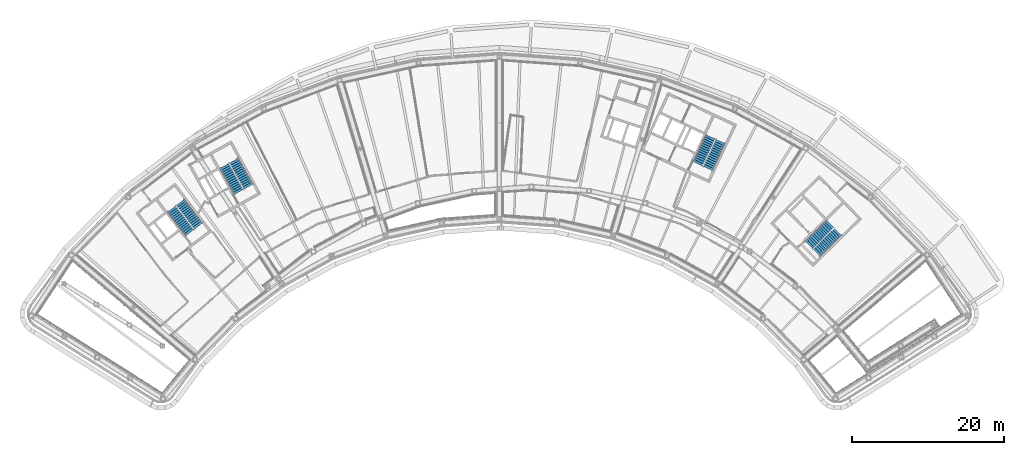
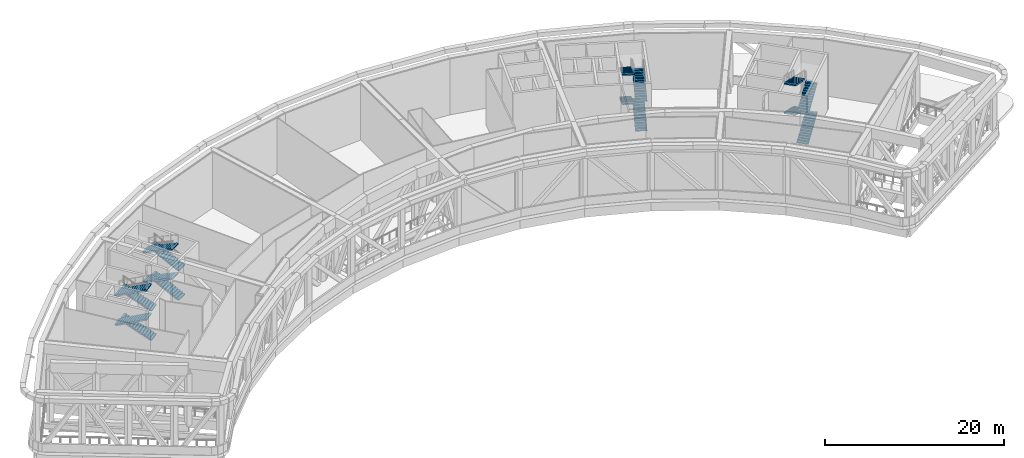
# One storey, part 12 of 24: 16 stair flights, 4 elements without a shape of their own.
"""IFC4 building model written with IfcOpenShell, lengths in metres."""

import ifcopenshell
import ifcopenshell.guid

model = None  # the IFC model being written
_history = None  # IfcOwnerHistory: only IFC2X3 demands one
_inside = {}  # id of a spatial element -> (the spatial element, [elements in it])
_under = {}  # id of a project, library or spatial element -> (it, [spatial elements below it])
_declared = {}  # id of a project -> (the project, [libraries it declares])
_typed = {}  # id of a type object -> (the type object, [elements of that type])
_made_of = {}  # id of a material, layer set ... -> (it, [elements and type objects made of it])


def new_model(schema):
    """Start an empty IFC model of exactly this schema.

    Asked for "IFC4X3", IfcOpenShell would pick the latest addendum, in which some entities
    have other attributes; the version numbers below select the first issue.
    IFC2X3 requires an IfcOwnerHistory on every rooted entity: one is made here for all.
    """
    global model, _history
    if schema == "IFC4X3":
        model = ifcopenshell.file(schema_version=(4, 3, 0, 0))
    else:
        model = ifcopenshell.file(schema=schema)
    _inside.clear()
    _under.clear()
    _declared.clear()
    _typed.clear()
    _made_of.clear()
    _history = None
    if model.schema == "IFC2X3":
        org = make("IfcOrganization", Name="unknown")
        user = make(
            "IfcPersonAndOrganization",
            ThePerson=make("IfcPerson", FamilyName="unknown"),
            TheOrganization=org,
        )
        app = make(
            "IfcApplication",
            ApplicationDeveloper=org,
            Version="unknown",
            ApplicationFullName="unknown",
            ApplicationIdentifier="unknown",
        )
        _history = make(
            "IfcOwnerHistory",
            OwningUser=user,
            OwningApplication=app,
            ChangeAction="ADDED",
            CreationDate=0,
        )
    return model


def make(cls, **values):
    """One entity of the class cls with the attributes given. An attribute that is None is left unset."""
    return model.create_entity(
        cls, **{name: value for name, value in values.items() if value is not None}
    )


def rooted(cls, **values):
    """An entity with a GlobalId (a new one), such as an element, a storey or a relation."""
    return make(cls, GlobalId=ifcopenshell.guid.new(), OwnerHistory=_history, **values)


def si_unit(unit_type, name, prefix=None):
    """IfcSIUnit, for example si_unit("LENGTHUNIT", "METRE", prefix="MILLI")."""
    return make("IfcSIUnit", UnitType=unit_type, Prefix=prefix, Name=name)


def assignment(units):
    """IfcUnitAssignment: the units of a project."""
    return None if units is None else make("IfcUnitAssignment", Units=units)


def point(xyz):
    """IfcCartesianPoint."""
    return None if xyz is None else make("IfcCartesianPoint", Coordinates=xyz)


def direction(xyz):
    """IfcDirection."""
    return None if xyz is None else make("IfcDirection", DirectionRatios=xyz)


def frame(location, z_axis=None, x_axis=None):
    """IfcAxis2Placement3D, a coordinate frame: its origin and axes. An axis left out is left unset."""
    return make(
        "IfcAxis2Placement3D",
        Location=point(location),
        Axis=direction(z_axis),
        RefDirection=direction(x_axis),
    )


def origin():
    """The frame at (0, 0, 0) with its axes left unset."""
    return frame((0.0, 0.0, 0.0))


def place(relative_to, where):
    """IfcLocalPlacement: puts the frame where relative to a parent placement (None: the world)."""
    return make(
        "IfcLocalPlacement", PlacementRelTo=relative_to, RelativePlacement=where
    )


def context(
    kind, dimensions, precision=None, world=None, true_north=None, identifier=None
):
    """IfcGeometricRepresentationContext, for example the 3D "Model" context."""
    return make(
        "IfcGeometricRepresentationContext",
        ContextIdentifier=identifier,
        ContextType=kind,
        CoordinateSpaceDimension=dimensions,
        Precision=precision,
        WorldCoordinateSystem=world,
        TrueNorth=true_north,
    )


def subcontext(parent, identifier, kind, view, scale=None):
    """IfcGeometricRepresentationSubContext, for example "Body" below "Model"."""
    return make(
        "IfcGeometricRepresentationSubContext",
        ContextIdentifier=identifier,
        ContextType=kind,
        ParentContext=parent,
        TargetScale=scale,
        TargetView=view,
    )


def project(units=None, contexts=None):
    """IfcProject with its units and contexts."""
    return rooted(
        "IfcProject",
        Name="project",
        RepresentationContexts=contexts,
        UnitsInContext=assignment(units),
    )


def spatial(cls, under=None, at=None, **own):
    """A site, building, storey or space (cls), placed at a placement, below another one or the project."""
    s = rooted(cls, ObjectPlacement=at, **own)
    if under is not None:
        _under.setdefault(under.id(), (under, []))[1].append(s)
    return s


def polyline(points):
    """IfcPolyline through the points."""
    return make("IfcPolyline", Points=[point(p) for p in points])


def outline(outer, holes=None, kind="AREA"):
    """IfcArbitraryClosedProfileDef: a profile drawn as a closed curve; with holes, ...WithVoids."""
    if holes is None:
        return make("IfcArbitraryClosedProfileDef", ProfileType=kind, OuterCurve=outer)
    return make(
        "IfcArbitraryProfileDefWithVoids",
        ProfileType=kind,
        OuterCurve=outer,
        InnerCurves=holes,
    )


def extrude(swept, where, along, depth):
    """IfcExtrudedAreaSolid: the profile swept, set in the frame where, extruded along a direction by depth."""
    return make(
        "IfcExtrudedAreaSolid",
        SweptArea=swept,
        Position=where,
        ExtrudedDirection=direction(along),
        Depth=depth,
    )


def shape(context_of_items, identifier, shape_type, items):
    """IfcShapeRepresentation: the items that make up one representation, for example the "Body"."""
    return make(
        "IfcShapeRepresentation",
        ContextOfItems=context_of_items,
        RepresentationIdentifier=identifier,
        RepresentationType=shape_type,
        Items=items,
    )


def material(Name=None, Category=None):
    """IfcMaterial."""
    return make("IfcMaterial", Name=Name, Category=Category)


def made_of(thing, what):
    """Note that an element or type object is made of a material, layer set ...; save() writes the relation."""
    if what is not None:
        _made_of.setdefault(what.id(), (what, []))[1].append(thing)
    return thing


def type_object(cls, material=None, **own):
    """A type object (cls), such as IfcWallType, which elements share."""
    return made_of(rooted(cls, **own), material)


def element(
    cls,
    number,
    at=None,
    inside=None,
    cuts=None,
    type_object=None,
    material=None,
    context=None,
    identifier="Body",
    shape_type=None,
    held_by="IfcProductDefinitionShape",
    body=None,
    shapes=None,
    **own,
):
    """One element of the class cls, such as IfcWall. Its Tag is "e" and its number.

    at: its placement. inside: the storey or other place that contains it. cuts: it is an
    opening in that element (IfcRelVoidsElement). A single representation is given by context,
    identifier, shape_type and body (its items); several are given by shapes. held_by: the class
    of the entity that holds the representations. save() writes the other relations.
    """
    e = rooted(cls, Tag="e%d" % number, ObjectPlacement=at, **own)
    if body is not None:
        shapes = [shape(context, identifier, shape_type, body)]
    if shapes is not None:
        e.Representation = make(held_by, Representations=shapes)
    if inside is not None:
        _inside.setdefault(inside.id(), (inside, []))[1].append(e)
    if cuts is not None:
        rooted(
            "IfcRelVoidsElement", RelatingBuildingElement=cuts, RelatedOpeningElement=e
        )
    if type_object is not None:
        _typed.setdefault(type_object.id(), (type_object, []))[1].append(e)
    return made_of(e, material)


def aggregate(whole, parts):
    """IfcRelAggregates: a whole, such as a stair, and the parts it consists of."""
    return rooted("IfcRelAggregates", RelatingObject=whole, RelatedObjects=parts)


def save(model, path):
    """Write the relations noted so far, then the file.

    IfcRelAggregates (storeys below a building ...), IfcRelContainedInSpatialStructure (elements
    in a storey), IfcRelDefinesByType, IfcRelAssociatesMaterial and IfcRelDeclares: one each for
    every whole, place, type object, material and project.
    """
    for whole, parts in _under.values():
        aggregate(whole, parts)
    for where, things in _inside.values():
        rooted(
            "IfcRelContainedInSpatialStructure",
            RelatedElements=things,
            RelatingStructure=where,
        )
    for kind, things in _typed.values():
        rooted("IfcRelDefinesByType", RelatedObjects=things, RelatingType=kind)
    for what, things in _made_of.values():
        rooted("IfcRelAssociatesMaterial", RelatedObjects=things, RelatingMaterial=what)
    for by, libraries in _declared.values():
        rooted("IfcRelDeclares", RelatingContext=by, RelatedDefinitions=libraries)
    model.write(path)


model = new_model("IFC4")

# Units and contexts
model_context = context("Model", 3, precision=1e-05, world=origin(), true_north=direction((0.0, 1.0)))
body_context = subcontext(model_context, "Body", "Model", "MODEL_VIEW")
ifc_project = project(units=[si_unit("LENGTHUNIT", "METRE"), si_unit("AREAUNIT", "SQUARE_METRE"), si_unit("VOLUMEUNIT", "CUBIC_METRE"), si_unit("PLANEANGLEUNIT", "RADIAN"), si_unit("MASSUNIT", "GRAM", prefix="KILO")], contexts=[model_context])

# Site, building, storey
site_placement = place(None, origin())
site = spatial("IfcSite", under=ifc_project, at=site_placement, CompositionType="ELEMENT")
building_placement = place(site_placement, origin())
building = spatial("IfcBuilding", under=site, at=building_placement, Name="Tuul Gate Civic Tower", CompositionType="ELEMENT")
storey_placement = place(building_placement, frame((0.0, 0.0, 277.800048828125)))
storey = spatial("IfcBuildingStorey", under=building, at=storey_placement, Name="Wind floor 2", CompositionType="ELEMENT", Elevation=277.800048828125)

# Stair, stair flights
ifc_material_1 = material(Name="Concrete C40/50", Category="concrete")
stair_type = type_object("IfcStairType", Name="Exit stair", PredefinedType="HALF_TURN_STAIR", material=ifc_material_1)
stair_1_placement = place(storey_placement, origin())
stair_1 = element("IfcStair", 1, at=stair_1_placement, inside=storey, type_object=stair_type, Name="Wind floor 2 ST-1", PredefinedType="HALF_TURN_STAIR")
ifc_material_2 = material(Name="Concrete C40/50", Category="concrete")
stair_flight_type = type_object("IfcStairFlightType", Name="Exit stair flight", PredefinedType="STRAIGHT", material=ifc_material_2)
stair_flight_1_placement = place(storey_placement, frame((-32.875244140625, -13.066650390625, 0.0), z_axis=(0.0, 0.0, 1.0), x_axis=(-0.605764474941, 0.795644016442, 0.0)))
stair_flight_1 = element("IfcStairFlight", 2, at=stair_flight_1_placement, type_object=stair_flight_type, Name="ST-1 flight 1", NumberOfRisers=14, NumberOfTreads=13, PredefinedType="STRAIGHT", RiserHeight=0.142857143, TreadLength=0.3, context=body_context, shape_type="SweptSolid", body=[
    extrude(outline(polyline([(0.0, 0.0), (0.0, 0.142822265625), (0.300048828125, 0.142822265625), (0.300048828125, 0.28564453125), (0.60009765625, 0.28564453125), (0.60009765625, 0.428466796875), (0.89990234375, 0.428466796875), (0.89990234375, 0.571533203125), (1.199951171875, 0.571533203125), (1.199951171875, 0.71435546875), (1.5, 0.71435546875), (1.5, 0.857177734375), (1.800048828125, 0.857177734375), (1.800048828125, 1.0), (2.10009765625, 1.0), (2.10009765625, 1.142822265625), (2.39990234375, 1.142822265625), (2.39990234375, 1.28564453125), (2.699951171875, 1.28564453125), (2.699951171875, 1.428466796875), (3.0, 1.428466796875), (3.0, 1.571533203125), (3.300048828125, 1.571533203125), (3.300048828125, 1.71435546875), (3.60009765625, 1.71435546875), (3.60009765625, 1.857177734375), (3.89990234375, 1.857177734375), (3.89990234375, 2.0), (3.89990234375, 1.691162109375), (0.3486328125, 0.0), (0.0, 0.0)])), frame((0.0, 0.675048828125, 0.0), z_axis=(0.0, -1.0, 0.0), x_axis=(1.0, 0.0, 0.0)), (0.0, 0.0, 1.0), 1.35009765625),
])
stair_flight_2_placement = place(storey_placement, frame((-36.391357421875, -10.842041015625, 2.0), z_axis=(0.0, 0.0, 1.0), x_axis=(0.605764474941, -0.795644016442, 0.0)))
stair_flight_2 = element("IfcStairFlight", 3, at=stair_flight_2_placement, type_object=stair_flight_type, Name="ST-1 flight 2", NumberOfRisers=14, NumberOfTreads=13, PredefinedType="STRAIGHT", RiserHeight=0.142857143, TreadLength=0.3, context=body_context, shape_type="SweptSolid", body=[
    extrude(outline(polyline([(0.0, 0.0), (0.0, 0.142822265625), (0.300048828125, 0.142822265625), (0.300048828125, 0.28564453125), (0.60009765625, 0.28564453125), (0.60009765625, 0.428466796875), (0.89990234375, 0.428466796875), (0.89990234375, 0.571533203125), (1.199951171875, 0.571533203125), (1.199951171875, 0.71435546875), (1.5, 0.71435546875), (1.5, 0.857177734375), (1.800048828125, 0.857177734375), (1.800048828125, 1.0), (2.10009765625, 1.0), (2.10009765625, 1.142822265625), (2.39990234375, 1.142822265625), (2.39990234375, 1.28564453125), (2.699951171875, 1.28564453125), (2.699951171875, 1.428466796875), (3.0, 1.428466796875), (3.0, 1.571533203125), (3.300048828125, 1.571533203125), (3.300048828125, 1.71435546875), (3.60009765625, 1.71435546875), (3.60009765625, 1.857177734375), (3.89990234375, 1.857177734375), (3.89990234375, 2.0), (3.89990234375, 1.691162109375), (0.3486328125, 0.0), (0.0, 0.0)])), frame((0.0, 0.675048828125, 0.0), z_axis=(0.0, -1.0, 0.0), x_axis=(1.0, 0.0, 0.0)), (0.0, 0.0, 1.0), 1.35009765625),
])
stair_flight_3_placement = place(storey_placement, frame((-32.875244140625, -13.066650390625, 4.0), z_axis=(0.0, 0.0, 1.0), x_axis=(-0.605764474941, 0.795644016442, 0.0)))
stair_flight_3 = element("IfcStairFlight", 4, at=stair_flight_3_placement, type_object=stair_flight_type, Name="ST-1 flight 3", NumberOfRisers=14, NumberOfTreads=13, PredefinedType="STRAIGHT", RiserHeight=0.142857143, TreadLength=0.3, context=body_context, shape_type="SweptSolid", body=[
    extrude(outline(polyline([(0.0, 0.0), (0.0, 0.142822265625), (0.300048828125, 0.142822265625), (0.300048828125, 0.28564453125), (0.60009765625, 0.28564453125), (0.60009765625, 0.428466796875), (0.89990234375, 0.428466796875), (0.89990234375, 0.571533203125), (1.199951171875, 0.571533203125), (1.199951171875, 0.71435546875), (1.5, 0.71435546875), (1.5, 0.857177734375), (1.800048828125, 0.857177734375), (1.800048828125, 1.0), (2.10009765625, 1.0), (2.10009765625, 1.142822265625), (2.39990234375, 1.142822265625), (2.39990234375, 1.28564453125), (2.699951171875, 1.28564453125), (2.699951171875, 1.428466796875), (3.0, 1.428466796875), (3.0, 1.571533203125), (3.300048828125, 1.571533203125), (3.300048828125, 1.71435546875), (3.60009765625, 1.71435546875), (3.60009765625, 1.857177734375), (3.89990234375, 1.857177734375), (3.89990234375, 2.0), (3.89990234375, 1.691162109375), (0.3486328125, 0.0), (0.0, 0.0)])), frame((0.0, 0.675048828125, 0.0), z_axis=(0.0, -1.0, 0.0), x_axis=(1.0, 0.0, 0.0)), (0.0, 0.0, 1.0), 1.35009765625),
])
stair_flight_4_placement = place(storey_placement, frame((-36.391357421875, -10.842041015625, 6.0), z_axis=(0.0, 0.0, 1.0), x_axis=(0.605764474941, -0.795644016442, 0.0)))
stair_flight_4 = element("IfcStairFlight", 5, at=stair_flight_4_placement, type_object=stair_flight_type, Name="ST-1 flight 4", NumberOfRisers=14, NumberOfTreads=13, PredefinedType="STRAIGHT", RiserHeight=0.142857143, TreadLength=0.3, context=body_context, shape_type="SweptSolid", body=[
    extrude(outline(polyline([(0.0, 0.0), (0.0, 0.142822265625), (0.300048828125, 0.142822265625), (0.300048828125, 0.28564453125), (0.60009765625, 0.28564453125), (0.60009765625, 0.428466796875), (0.89990234375, 0.428466796875), (0.89990234375, 0.571533203125), (1.199951171875, 0.571533203125), (1.199951171875, 0.71435546875), (1.5, 0.71435546875), (1.5, 0.857177734375), (1.800048828125, 0.857177734375), (1.800048828125, 1.0), (2.10009765625, 1.0), (2.10009765625, 1.142822265625), (2.39990234375, 1.142822265625), (2.39990234375, 1.28564453125), (2.699951171875, 1.28564453125), (2.699951171875, 1.428466796875), (3.0, 1.428466796875), (3.0, 1.571533203125), (3.300048828125, 1.571533203125), (3.300048828125, 1.71435546875), (3.60009765625, 1.71435546875), (3.60009765625, 1.857177734375), (3.89990234375, 1.857177734375), (3.89990234375, 2.0), (3.89990234375, 1.691162109375), (0.3486328125, 0.0), (0.0, 0.0)])), frame((0.0, 0.675048828125, 0.0), z_axis=(0.0, -1.0, 0.0), x_axis=(1.0, 0.0, 0.0)), (0.0, 0.0, 1.0), 1.35009765625),
])
aggregate(stair_1, [stair_flight_1, stair_flight_2, stair_flight_3, stair_flight_4])

stair_2_placement = place(storey_placement, origin())
stair_2 = element("IfcStair", 6, at=stair_2_placement, inside=storey, type_object=stair_type, Name="Wind floor 2 ST-2", PredefinedType="HALF_TURN_STAIR")
stair_flight_5_placement = place(storey_placement, frame((-26.29150390625, -7.87646484375, 0.0), z_axis=(0.0, 0.0, 1.0), x_axis=(-0.484761763766, 0.874646232708, 0.0)))
stair_flight_5 = element("IfcStairFlight", 7, at=stair_flight_5_placement, type_object=stair_flight_type, Name="ST-2 flight 1", NumberOfRisers=14, NumberOfTreads=13, PredefinedType="STRAIGHT", RiserHeight=0.142857143, TreadLength=0.3, context=body_context, shape_type="SweptSolid", body=[
    extrude(outline(polyline([(0.0, 0.0), (0.0, 0.142822265625), (0.300048828125, 0.142822265625), (0.300048828125, 0.28564453125), (0.60009765625, 0.28564453125), (0.60009765625, 0.428466796875), (0.89990234375, 0.428466796875), (0.89990234375, 0.571533203125), (1.199951171875, 0.571533203125), (1.199951171875, 0.71435546875), (1.5, 0.71435546875), (1.5, 0.857177734375), (1.800048828125, 0.857177734375), (1.800048828125, 1.0), (2.10009765625, 1.0), (2.10009765625, 1.142822265625), (2.39990234375, 1.142822265625), (2.39990234375, 1.28564453125), (2.699951171875, 1.28564453125), (2.699951171875, 1.428466796875), (3.0, 1.428466796875), (3.0, 1.571533203125), (3.300048828125, 1.571533203125), (3.300048828125, 1.71435546875), (3.60009765625, 1.71435546875), (3.60009765625, 1.857177734375), (3.89990234375, 1.857177734375), (3.89990234375, 2.0), (3.89990234375, 1.691162109375), (0.3486328125, 0.0), (0.0, 0.0)])), frame((0.0, 0.675048828125, 0.0), z_axis=(0.0, -1.0, 0.0), x_axis=(1.0, 0.0, 0.0)), (0.0, 0.0, 1.0), 1.35009765625),
])
stair_flight_6_placement = place(storey_placement, frame((-29.450439453125, -5.168212890625, 2.0), z_axis=(0.0, 0.0, 1.0), x_axis=(0.484761763766, -0.874646232708, 0.0)))
stair_flight_6 = element("IfcStairFlight", 8, at=stair_flight_6_placement, type_object=stair_flight_type, Name="ST-2 flight 2", NumberOfRisers=14, NumberOfTreads=13, PredefinedType="STRAIGHT", RiserHeight=0.142857143, TreadLength=0.3, context=body_context, shape_type="SweptSolid", body=[
    extrude(outline(polyline([(0.0, 0.0), (0.0, 0.142822265625), (0.300048828125, 0.142822265625), (0.300048828125, 0.28564453125), (0.60009765625, 0.28564453125), (0.60009765625, 0.428466796875), (0.89990234375, 0.428466796875), (0.89990234375, 0.571533203125), (1.199951171875, 0.571533203125), (1.199951171875, 0.71435546875), (1.5, 0.71435546875), (1.5, 0.857177734375), (1.800048828125, 0.857177734375), (1.800048828125, 1.0), (2.10009765625, 1.0), (2.10009765625, 1.142822265625), (2.39990234375, 1.142822265625), (2.39990234375, 1.28564453125), (2.699951171875, 1.28564453125), (2.699951171875, 1.428466796875), (3.0, 1.428466796875), (3.0, 1.571533203125), (3.300048828125, 1.571533203125), (3.300048828125, 1.71435546875), (3.60009765625, 1.71435546875), (3.60009765625, 1.857177734375), (3.89990234375, 1.857177734375), (3.89990234375, 2.0), (3.89990234375, 1.691162109375), (0.3486328125, 0.0), (0.0, 0.0)])), frame((0.0, 0.675048828125, 0.0), z_axis=(0.0, -1.0, 0.0), x_axis=(1.0, 0.0, 0.0)), (0.0, 0.0, 1.0), 1.35009765625),
])
stair_flight_7_placement = place(storey_placement, frame((-26.29150390625, -7.87646484375, 4.0), z_axis=(0.0, 0.0, 1.0), x_axis=(-0.484761763766, 0.874646232708, 0.0)))
stair_flight_7 = element("IfcStairFlight", 9, at=stair_flight_7_placement, type_object=stair_flight_type, Name="ST-2 flight 3", NumberOfRisers=14, NumberOfTreads=13, PredefinedType="STRAIGHT", RiserHeight=0.142857143, TreadLength=0.3, context=body_context, shape_type="SweptSolid", body=[
    extrude(outline(polyline([(0.0, 0.0), (0.0, 0.142822265625), (0.300048828125, 0.142822265625), (0.300048828125, 0.28564453125), (0.60009765625, 0.28564453125), (0.60009765625, 0.428466796875), (0.89990234375, 0.428466796875), (0.89990234375, 0.571533203125), (1.199951171875, 0.571533203125), (1.199951171875, 0.71435546875), (1.5, 0.71435546875), (1.5, 0.857177734375), (1.800048828125, 0.857177734375), (1.800048828125, 1.0), (2.10009765625, 1.0), (2.10009765625, 1.142822265625), (2.39990234375, 1.142822265625), (2.39990234375, 1.28564453125), (2.699951171875, 1.28564453125), (2.699951171875, 1.428466796875), (3.0, 1.428466796875), (3.0, 1.571533203125), (3.300048828125, 1.571533203125), (3.300048828125, 1.71435546875), (3.60009765625, 1.71435546875), (3.60009765625, 1.857177734375), (3.89990234375, 1.857177734375), (3.89990234375, 2.0), (3.89990234375, 1.691162109375), (0.3486328125, 0.0), (0.0, 0.0)])), frame((0.0, 0.675048828125, 0.0), z_axis=(0.0, -1.0, 0.0), x_axis=(1.0, 0.0, 0.0)), (0.0, 0.0, 1.0), 1.35009765625),
])
stair_flight_8_placement = place(storey_placement, frame((-29.450439453125, -5.168212890625, 6.0), z_axis=(0.0, 0.0, 1.0), x_axis=(0.484761763766, -0.874646232708, 0.0)))
stair_flight_8 = element("IfcStairFlight", 10, at=stair_flight_8_placement, type_object=stair_flight_type, Name="ST-2 flight 4", NumberOfRisers=14, NumberOfTreads=13, PredefinedType="STRAIGHT", RiserHeight=0.142857143, TreadLength=0.3, context=body_context, shape_type="SweptSolid", body=[
    extrude(outline(polyline([(0.0, 0.0), (0.0, 0.142822265625), (0.300048828125, 0.142822265625), (0.300048828125, 0.28564453125), (0.60009765625, 0.28564453125), (0.60009765625, 0.428466796875), (0.89990234375, 0.428466796875), (0.89990234375, 0.571533203125), (1.199951171875, 0.571533203125), (1.199951171875, 0.71435546875), (1.5, 0.71435546875), (1.5, 0.857177734375), (1.800048828125, 0.857177734375), (1.800048828125, 1.0), (2.10009765625, 1.0), (2.10009765625, 1.142822265625), (2.39990234375, 1.142822265625), (2.39990234375, 1.28564453125), (2.699951171875, 1.28564453125), (2.699951171875, 1.428466796875), (3.0, 1.428466796875), (3.0, 1.571533203125), (3.300048828125, 1.571533203125), (3.300048828125, 1.71435546875), (3.60009765625, 1.71435546875), (3.60009765625, 1.857177734375), (3.89990234375, 1.857177734375), (3.89990234375, 2.0), (3.89990234375, 1.691162109375), (0.3486328125, 0.0), (0.0, 0.0)])), frame((0.0, 0.675048828125, 0.0), z_axis=(0.0, -1.0, 0.0), x_axis=(1.0, 0.0, 0.0)), (0.0, 0.0, 1.0), 1.35009765625),
])
aggregate(stair_2, [stair_flight_5, stair_flight_6, stair_flight_7, stair_flight_8])

stair_3_placement = place(storey_placement, origin())
stair_3 = element("IfcStair", 11, at=stair_3_placement, inside=storey, type_object=stair_type, Name="Wind floor 2 ST-3", PredefinedType="HALF_TURN_STAIR")
stair_flight_9_placement = place(storey_placement, frame((48.61376953125, -16.581787109375, 0.0), z_axis=(0.0, 0.0, 1.0), x_axis=(0.714127290059, 0.700015866672, 0.0)))
stair_flight_9 = element("IfcStairFlight", 12, at=stair_flight_9_placement, type_object=stair_flight_type, Name="ST-3 flight 1", NumberOfRisers=14, NumberOfTreads=13, PredefinedType="STRAIGHT", RiserHeight=0.142857143, TreadLength=0.3, context=body_context, shape_type="SweptSolid", body=[
    extrude(outline(polyline([(0.0, 0.0), (0.0, 0.142822265625), (0.300048828125, 0.142822265625), (0.300048828125, 0.28564453125), (0.60009765625, 0.28564453125), (0.60009765625, 0.428466796875), (0.89990234375, 0.428466796875), (0.89990234375, 0.571533203125), (1.199951171875, 0.571533203125), (1.199951171875, 0.71435546875), (1.5, 0.71435546875), (1.5, 0.857177734375), (1.800048828125, 0.857177734375), (1.800048828125, 1.0), (2.10009765625, 1.0), (2.10009765625, 1.142822265625), (2.39990234375, 1.142822265625), (2.39990234375, 1.28564453125), (2.699951171875, 1.28564453125), (2.699951171875, 1.428466796875), (3.0, 1.428466796875), (3.0, 1.571533203125), (3.300048828125, 1.571533203125), (3.300048828125, 1.71435546875), (3.60009765625, 1.71435546875), (3.60009765625, 1.857177734375), (3.89990234375, 1.857177734375), (3.89990234375, 2.0), (3.89990234375, 1.691162109375), (0.3486328125, 0.0), (0.0, 0.0)])), frame((0.0, 0.675048828125, 0.0), z_axis=(0.0, -1.0, 0.0), x_axis=(1.0, 0.0, 0.0)), (0.0, 0.0, 1.0), 1.35009765625),
])
stair_flight_10_placement = place(storey_placement, frame((50.3837890625, -12.816162109375, 2.0), z_axis=(0.0, 0.0, 1.0), x_axis=(-0.714127290059, -0.700015866672, 0.0)))
stair_flight_10 = element("IfcStairFlight", 13, at=stair_flight_10_placement, type_object=stair_flight_type, Name="ST-3 flight 2", NumberOfRisers=14, NumberOfTreads=13, PredefinedType="STRAIGHT", RiserHeight=0.142857143, TreadLength=0.3, context=body_context, shape_type="SweptSolid", body=[
    extrude(outline(polyline([(0.0, 0.0), (0.0, 0.142822265625), (0.300048828125, 0.142822265625), (0.300048828125, 0.28564453125), (0.60009765625, 0.28564453125), (0.60009765625, 0.428466796875), (0.89990234375, 0.428466796875), (0.89990234375, 0.571533203125), (1.199951171875, 0.571533203125), (1.199951171875, 0.71435546875), (1.5, 0.71435546875), (1.5, 0.857177734375), (1.800048828125, 0.857177734375), (1.800048828125, 1.0), (2.10009765625, 1.0), (2.10009765625, 1.142822265625), (2.39990234375, 1.142822265625), (2.39990234375, 1.28564453125), (2.699951171875, 1.28564453125), (2.699951171875, 1.428466796875), (3.0, 1.428466796875), (3.0, 1.571533203125), (3.300048828125, 1.571533203125), (3.300048828125, 1.71435546875), (3.60009765625, 1.71435546875), (3.60009765625, 1.857177734375), (3.89990234375, 1.857177734375), (3.89990234375, 2.0), (3.89990234375, 1.691162109375), (0.3486328125, 0.0), (0.0, 0.0)])), frame((0.0, 0.675048828125, 0.0), z_axis=(0.0, -1.0, 0.0), x_axis=(1.0, 0.0, 0.0)), (0.0, 0.0, 1.0), 1.35009765625),
])
stair_flight_11_placement = place(storey_placement, frame((48.61376953125, -16.581787109375, 4.0), z_axis=(0.0, 0.0, 1.0), x_axis=(0.714127290059, 0.700015866672, 0.0)))
stair_flight_11 = element("IfcStairFlight", 14, at=stair_flight_11_placement, type_object=stair_flight_type, Name="ST-3 flight 3", NumberOfRisers=14, NumberOfTreads=13, PredefinedType="STRAIGHT", RiserHeight=0.142857143, TreadLength=0.3, context=body_context, shape_type="SweptSolid", body=[
    extrude(outline(polyline([(0.0, 0.0), (0.0, 0.142822265625), (0.300048828125, 0.142822265625), (0.300048828125, 0.28564453125), (0.60009765625, 0.28564453125), (0.60009765625, 0.428466796875), (0.89990234375, 0.428466796875), (0.89990234375, 0.571533203125), (1.199951171875, 0.571533203125), (1.199951171875, 0.71435546875), (1.5, 0.71435546875), (1.5, 0.857177734375), (1.800048828125, 0.857177734375), (1.800048828125, 1.0), (2.10009765625, 1.0), (2.10009765625, 1.142822265625), (2.39990234375, 1.142822265625), (2.39990234375, 1.28564453125), (2.699951171875, 1.28564453125), (2.699951171875, 1.428466796875), (3.0, 1.428466796875), (3.0, 1.571533203125), (3.300048828125, 1.571533203125), (3.300048828125, 1.71435546875), (3.60009765625, 1.71435546875), (3.60009765625, 1.857177734375), (3.89990234375, 1.857177734375), (3.89990234375, 2.0), (3.89990234375, 1.691162109375), (0.3486328125, 0.0), (0.0, 0.0)])), frame((0.0, 0.675048828125, 0.0), z_axis=(0.0, -1.0, 0.0), x_axis=(1.0, 0.0, 0.0)), (0.0, 0.0, 1.0), 1.35009765625),
])
stair_flight_12_placement = place(storey_placement, frame((50.3837890625, -12.816162109375, 6.0), z_axis=(0.0, 0.0, 1.0), x_axis=(-0.714127290059, -0.700015866672, 0.0)))
stair_flight_12 = element("IfcStairFlight", 15, at=stair_flight_12_placement, type_object=stair_flight_type, Name="ST-3 flight 4", NumberOfRisers=14, NumberOfTreads=13, PredefinedType="STRAIGHT", RiserHeight=0.142857143, TreadLength=0.3, context=body_context, shape_type="SweptSolid", body=[
    extrude(outline(polyline([(0.0, 0.0), (0.0, 0.142822265625), (0.300048828125, 0.142822265625), (0.300048828125, 0.28564453125), (0.60009765625, 0.28564453125), (0.60009765625, 0.428466796875), (0.89990234375, 0.428466796875), (0.89990234375, 0.571533203125), (1.199951171875, 0.571533203125), (1.199951171875, 0.71435546875), (1.5, 0.71435546875), (1.5, 0.857177734375), (1.800048828125, 0.857177734375), (1.800048828125, 1.0), (2.10009765625, 1.0), (2.10009765625, 1.142822265625), (2.39990234375, 1.142822265625), (2.39990234375, 1.28564453125), (2.699951171875, 1.28564453125), (2.699951171875, 1.428466796875), (3.0, 1.428466796875), (3.0, 1.571533203125), (3.300048828125, 1.571533203125), (3.300048828125, 1.71435546875), (3.60009765625, 1.71435546875), (3.60009765625, 1.857177734375), (3.89990234375, 1.857177734375), (3.89990234375, 2.0), (3.89990234375, 1.691162109375), (0.3486328125, 0.0), (0.0, 0.0)])), frame((0.0, 0.675048828125, 0.0), z_axis=(0.0, -1.0, 0.0), x_axis=(1.0, 0.0, 0.0)), (0.0, 0.0, 1.0), 1.35009765625),
])
aggregate(stair_3, [stair_flight_9, stair_flight_10, stair_flight_11, stair_flight_12])

stair_4_placement = place(storey_placement, origin())
stair_4 = element("IfcStair", 16, at=stair_4_placement, inside=storey, type_object=stair_type, Name="Wind floor 2 ST-4", PredefinedType="HALF_TURN_STAIR")
stair_flight_13_placement = place(storey_placement, frame((34.278564453125, -5.478515625, 0.0), z_axis=(0.0, 0.0, 1.0), x_axis=(0.422576295988, 0.906327354806, 0.0)))
stair_flight_13 = element("IfcStairFlight", 17, at=stair_flight_13_placement, type_object=stair_flight_type, Name="ST-4 flight 1", NumberOfRisers=14, NumberOfTreads=13, PredefinedType="STRAIGHT", RiserHeight=0.142857143, TreadLength=0.3, context=body_context, shape_type="SweptSolid", body=[
    extrude(outline(polyline([(0.0, 0.0), (0.0, 0.142822265625), (0.300048828125, 0.142822265625), (0.300048828125, 0.28564453125), (0.60009765625, 0.28564453125), (0.60009765625, 0.428466796875), (0.89990234375, 0.428466796875), (0.89990234375, 0.571533203125), (1.199951171875, 0.571533203125), (1.199951171875, 0.71435546875), (1.5, 0.71435546875), (1.5, 0.857177734375), (1.800048828125, 0.857177734375), (1.800048828125, 1.0), (2.10009765625, 1.0), (2.10009765625, 1.142822265625), (2.39990234375, 1.142822265625), (2.39990234375, 1.28564453125), (2.699951171875, 1.28564453125), (2.699951171875, 1.428466796875), (3.0, 1.428466796875), (3.0, 1.571533203125), (3.300048828125, 1.571533203125), (3.300048828125, 1.71435546875), (3.60009765625, 1.71435546875), (3.60009765625, 1.857177734375), (3.89990234375, 1.857177734375), (3.89990234375, 2.0), (3.89990234375, 1.691162109375), (0.3486328125, 0.0), (0.0, 0.0)])), frame((0.0, 0.675048828125, 0.0), z_axis=(0.0, -1.0, 0.0), x_axis=(1.0, 0.0, 0.0)), (0.0, 0.0, 1.0), 1.35009765625),
])
stair_flight_14_placement = place(storey_placement, frame((34.612548828125, -1.3310546875, 2.0), z_axis=(0.0, 0.0, 1.0), x_axis=(-0.422576295988, -0.906327354806, 0.0)))
stair_flight_14 = element("IfcStairFlight", 18, at=stair_flight_14_placement, type_object=stair_flight_type, Name="ST-4 flight 2", NumberOfRisers=14, NumberOfTreads=13, PredefinedType="STRAIGHT", RiserHeight=0.142857143, TreadLength=0.3, context=body_context, shape_type="SweptSolid", body=[
    extrude(outline(polyline([(0.0, 0.0), (0.0, 0.142822265625), (0.300048828125, 0.142822265625), (0.300048828125, 0.28564453125), (0.60009765625, 0.28564453125), (0.60009765625, 0.428466796875), (0.89990234375, 0.428466796875), (0.89990234375, 0.571533203125), (1.199951171875, 0.571533203125), (1.199951171875, 0.71435546875), (1.5, 0.71435546875), (1.5, 0.857177734375), (1.800048828125, 0.857177734375), (1.800048828125, 1.0), (2.10009765625, 1.0), (2.10009765625, 1.142822265625), (2.39990234375, 1.142822265625), (2.39990234375, 1.28564453125), (2.699951171875, 1.28564453125), (2.699951171875, 1.428466796875), (3.0, 1.428466796875), (3.0, 1.571533203125), (3.300048828125, 1.571533203125), (3.300048828125, 1.71435546875), (3.60009765625, 1.71435546875), (3.60009765625, 1.857177734375), (3.89990234375, 1.857177734375), (3.89990234375, 2.0), (3.89990234375, 1.691162109375), (0.3486328125, 0.0), (0.0, 0.0)])), frame((0.0, 0.675048828125, 0.0), z_axis=(0.0, -1.0, 0.0), x_axis=(1.0, 0.0, 0.0)), (0.0, 0.0, 1.0), 1.35009765625),
])
stair_flight_15_placement = place(storey_placement, frame((34.278564453125, -5.478515625, 4.0), z_axis=(0.0, 0.0, 1.0), x_axis=(0.422576295988, 0.906327354806, 0.0)))
stair_flight_15 = element("IfcStairFlight", 19, at=stair_flight_15_placement, type_object=stair_flight_type, Name="ST-4 flight 3", NumberOfRisers=14, NumberOfTreads=13, PredefinedType="STRAIGHT", RiserHeight=0.142857143, TreadLength=0.3, context=body_context, shape_type="SweptSolid", body=[
    extrude(outline(polyline([(0.0, 0.0), (0.0, 0.142822265625), (0.300048828125, 0.142822265625), (0.300048828125, 0.28564453125), (0.60009765625, 0.28564453125), (0.60009765625, 0.428466796875), (0.89990234375, 0.428466796875), (0.89990234375, 0.571533203125), (1.199951171875, 0.571533203125), (1.199951171875, 0.71435546875), (1.5, 0.71435546875), (1.5, 0.857177734375), (1.800048828125, 0.857177734375), (1.800048828125, 1.0), (2.10009765625, 1.0), (2.10009765625, 1.142822265625), (2.39990234375, 1.142822265625), (2.39990234375, 1.28564453125), (2.699951171875, 1.28564453125), (2.699951171875, 1.428466796875), (3.0, 1.428466796875), (3.0, 1.571533203125), (3.300048828125, 1.571533203125), (3.300048828125, 1.71435546875), (3.60009765625, 1.71435546875), (3.60009765625, 1.857177734375), (3.89990234375, 1.857177734375), (3.89990234375, 2.0), (3.89990234375, 1.691162109375), (0.3486328125, 0.0), (0.0, 0.0)])), frame((0.0, 0.675048828125, 0.0), z_axis=(0.0, -1.0, 0.0), x_axis=(1.0, 0.0, 0.0)), (0.0, 0.0, 1.0), 1.35009765625),
])
stair_flight_16_placement = place(storey_placement, frame((34.612548828125, -1.3310546875, 6.0), z_axis=(0.0, 0.0, 1.0), x_axis=(-0.422576295988, -0.906327354806, 0.0)))
stair_flight_16 = element("IfcStairFlight", 20, at=stair_flight_16_placement, type_object=stair_flight_type, Name="ST-4 flight 4", NumberOfRisers=14, NumberOfTreads=13, PredefinedType="STRAIGHT", RiserHeight=0.142857143, TreadLength=0.3, context=body_context, shape_type="SweptSolid", body=[
    extrude(outline(polyline([(0.0, 0.0), (0.0, 0.142822265625), (0.300048828125, 0.142822265625), (0.300048828125, 0.28564453125), (0.60009765625, 0.28564453125), (0.60009765625, 0.428466796875), (0.89990234375, 0.428466796875), (0.89990234375, 0.571533203125), (1.199951171875, 0.571533203125), (1.199951171875, 0.71435546875), (1.5, 0.71435546875), (1.5, 0.857177734375), (1.800048828125, 0.857177734375), (1.800048828125, 1.0), (2.10009765625, 1.0), (2.10009765625, 1.142822265625), (2.39990234375, 1.142822265625), (2.39990234375, 1.28564453125), (2.699951171875, 1.28564453125), (2.699951171875, 1.428466796875), (3.0, 1.428466796875), (3.0, 1.571533203125), (3.300048828125, 1.571533203125), (3.300048828125, 1.71435546875), (3.60009765625, 1.71435546875), (3.60009765625, 1.857177734375), (3.89990234375, 1.857177734375), (3.89990234375, 2.0), (3.89990234375, 1.691162109375), (0.3486328125, 0.0), (0.0, 0.0)])), frame((0.0, 0.675048828125, 0.0), z_axis=(0.0, -1.0, 0.0), x_axis=(1.0, 0.0, 0.0)), (0.0, 0.0, 1.0), 1.35009765625),
])
aggregate(stair_4, [stair_flight_13, stair_flight_14, stair_flight_15, stair_flight_16])

save(model, "model.ifc")
